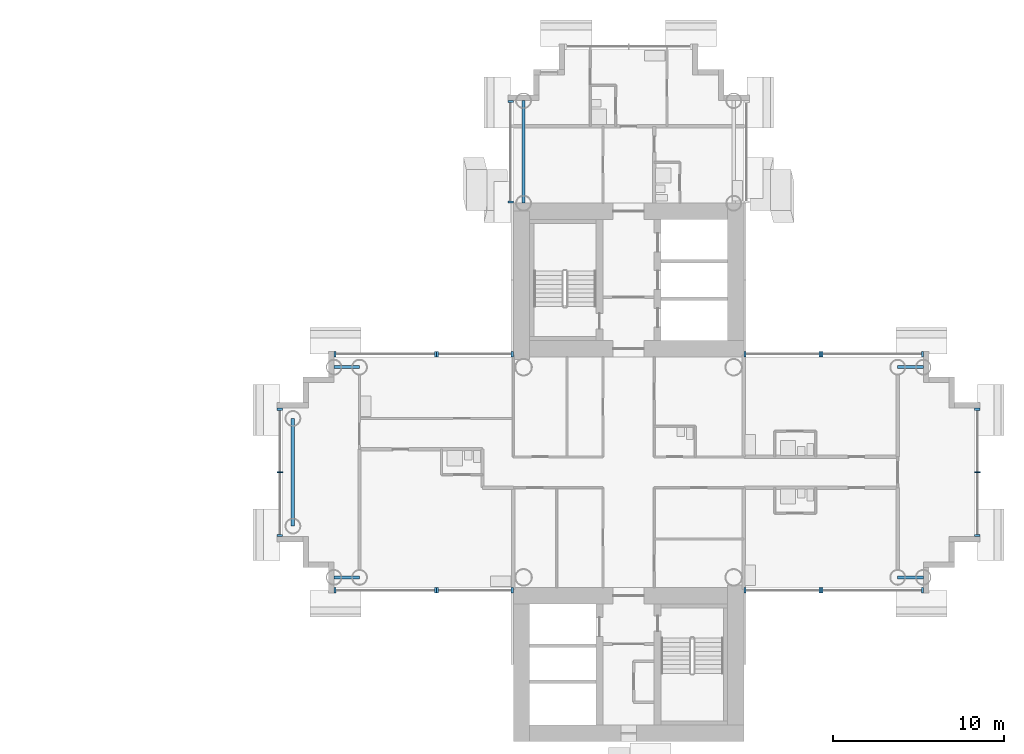
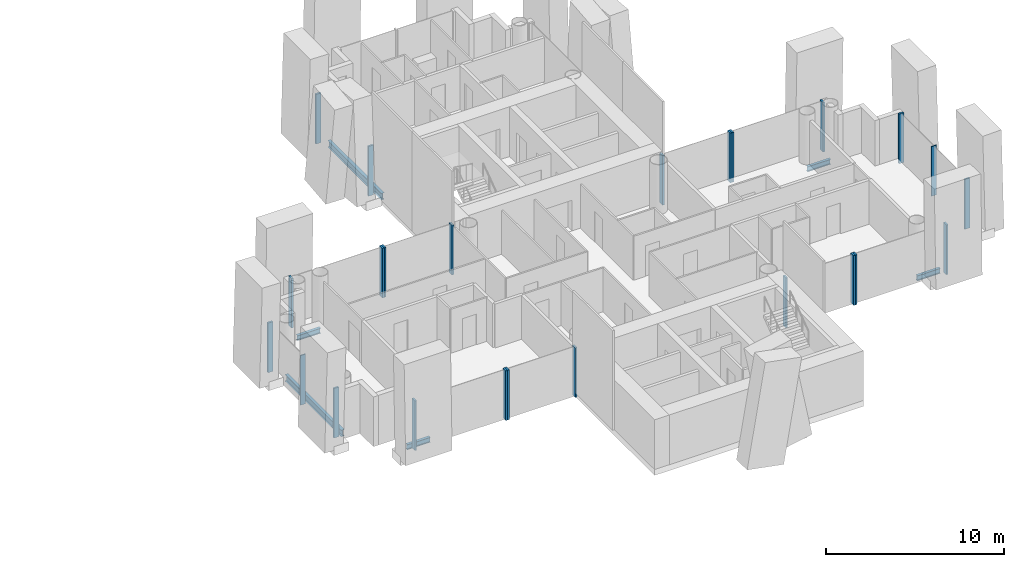
# One storey, part 5 of 21: 24 members, 6 beams, 11 elements without a shape of their own.
"""IFC4 building model written with IfcOpenShell, lengths in metres."""

from ifc_helpers import new_model, si_unit, direction, frame, origin, origin_2d, place, context, subcontext, project, spatial, rectangle, i_section, extrude, material, layer, layer_set, material_profile, profile_set, type_object, element, aggregate, save


model = new_model("IFC4")

# Units and contexts
model_context = context("Model", 3, precision=1e-05, world=origin(), true_north=direction((0.0, 1.0)))
body_context = subcontext(model_context, "Body", "Model", "MODEL_VIEW")
ifc_project = project(units=[si_unit("LENGTHUNIT", "METRE"), si_unit("AREAUNIT", "SQUARE_METRE"), si_unit("VOLUMEUNIT", "CUBIC_METRE"), si_unit("PLANEANGLEUNIT", "RADIAN"), si_unit("MASSUNIT", "GRAM", prefix="KILO")], contexts=[model_context])

# Site, building, storey
site_placement = place(None, origin())
site = spatial("IfcSite", under=ifc_project, at=site_placement, CompositionType="ELEMENT")
building_placement = place(site_placement, origin())
building = spatial("IfcBuilding", under=site, at=building_placement, Name="Ipe Terrace Towers", CompositionType="ELEMENT")
storey_placement = place(building_placement, frame((0.0, 0.0, 93.60009765625)))
storey = spatial("IfcBuildingStorey", under=building, at=storey_placement, Name="L25", CompositionType="ELEMENT", Elevation=93.60009765625)

# Beams
ifc_material_1 = material(Name="Steel S355", Category="steel")
ifc_material_profile_1 = material_profile(ifc_material_1, i_section(OverallWidth=0.175048828125, OverallDepth=0.35009765625, WebThickness=0.007080078125, FlangeThickness=0.010986328125, at=origin_2d()), Name="H-350x175x7x11")
ifc_profile_set_1 = profile_set([ifc_material_profile_1], Name="Steel S355")
beam_type_1 = type_object("IfcBeamType", Name="H04 EDGE BEAM H-350x175x7x11", PredefinedType="BEAM", material=ifc_profile_set_1)
for number, where, z_axis, x_axis, name in (
    (1, (20.25, 6.14990234375, -0.5751953125), (-1.0, 0.0, 0.0), (0.0, -1.0, 0.0), "Edge beam T2-EB-B03-B05"),
    (2, (20.25, -6.14990234375, -0.5751953125), (-1.0, 0.0, 0.0), (0.0, -1.0, 0.0), "Edge beam T2-EB-B04-B06"),
    (3, (51.75, -6.14990234375, -0.5751953125), (1.0, 0.0, 0.0), (0.0, 1.0, 0.0), "Edge beam T2-EB-D03-D05"),
    (4, (51.75, 6.14990234375, -0.5751953125), (1.0, 0.0, 0.0), (0.0, 1.0, 0.0), "Edge beam T2-EB-D04-D06"),
):
    element("IfcBeam", number, at=place(storey_placement, frame(where, z_axis=z_axis, x_axis=x_axis)), inside=storey, type_object=beam_type_1, Name=name, PredefinedType="BEAM", context=body_context, shape_type="SweptSolid", body=[
        extrude(i_section(OverallWidth=0.175048828125, OverallDepth=0.35009765625, WebThickness=0.007080078125, FlangeThickness=0.010986328125, at=origin_2d()), origin(), (0.0, 0.0, 1.0), 1.5),
    ])
ifc_material_2 = material(Name="Steel S355", Category="steel")
ifc_material_profile_2 = material_profile(ifc_material_2, i_section(OverallWidth=0.199951171875, OverallDepth=0.449951171875, WebThickness=0.009033203125, FlangeThickness=0.013916015625, at=origin_2d()), Name="H-450x200x9x14")
ifc_profile_set_2 = profile_set([ifc_material_profile_2], Name="Steel S355")
beam_type_2 = type_object("IfcBeamType", Name="H08 EDGE BEAM H-450x200x9x14", PredefinedType="BEAM", material=ifc_profile_set_2)
beam_1_placement = place(storey_placement, frame((29.85009765625, 15.75, -0.625), z_axis=(0.0, 1.0, 0.0), x_axis=(-1.0, 0.0, 0.0)))
element("IfcBeam", 5, at=beam_1_placement, inside=storey, type_object=beam_type_2, Name="Edge beam T2-EB-A02-A04", PredefinedType="BEAM", context=body_context, shape_type="SweptSolid", body=[
    extrude(i_section(OverallWidth=0.199951171875, OverallDepth=0.449951171875, WebThickness=0.009033203125, FlangeThickness=0.013916015625, at=origin_2d()), origin(), (0.0, 0.0, 1.0), 6.0),
])
beam_2_placement = place(storey_placement, frame((16.35009765625, 3.14990234375, -0.625), z_axis=(0.0, -1.0, 0.0), x_axis=(1.0, 0.0, 0.0)))
element("IfcBeam", 6, at=beam_2_placement, inside=storey, type_object=beam_type_2, Name="Edge beam T2-EB-B07-B08", PredefinedType="BEAM", context=body_context, shape_type="SweptSolid", body=[
    extrude(i_section(OverallWidth=0.199951171875, OverallDepth=0.449951171875, WebThickness=0.009033203125, FlangeThickness=0.013916015625, at=origin_2d()), origin(), (0.0, 0.0, 1.0), 6.2998046875),
])

# Curtain wall, members
ifc_material_3 = material(Name="Aluminium alloy 6063-T6", Category="aluminium")
ifc_layer = layer(ifc_material_3, 0.320068359375)
ifc_layer_set = layer_set([ifc_layer], Name="TOWER UNITISED CURTAIN WALL")
curtain_wall_type = type_object("IfcCurtainWallType", Name="TOWER UNITISED CURTAIN WALL", PredefinedType="NOTDEFINED", material=ifc_layer_set)
curtain_wall_1_placement = place(storey_placement, origin())
curtain_wall_1 = element("IfcCurtainWall", 7, at=curtain_wall_1_placement, inside=storey, type_object=curtain_wall_type, Name="T2-CW-L25-02a curtain wall", PredefinedType="NOTDEFINED")
ifc_material_4 = material(Name="Aluminium alloy 6063-T6", Category="aluminium")
ifc_material_profile_3 = material_profile(ifc_material_4, rectangle(XDim=0.320068359375, YDim=0.1201171875, at=origin_2d()), Name="TOWER UNITISED CORNER MULLION 320 x 120")
ifc_profile_set_3 = profile_set([ifc_material_profile_3], Name="Aluminium alloy 6063-T6")
member_type_1 = type_object("IfcMemberType", Name="TOWER UNITISED CORNER MULLION 320 x 120", PredefinedType="MULLION", material=ifc_profile_set_3)
member_1_placement = place(storey_placement, frame((42.81005859375, -6.909912109375, -0.300048828125), z_axis=(0.0, 0.0, 1.0), x_axis=(0.0, -1.0, 0.0)))
member_1 = element("IfcMember", 8, at=member_1_placement, type_object=member_type_1, Name="T2-CW-L25-02a mullion 1", PredefinedType="MULLION", context=body_context, shape_type="SweptSolid", body=[
    extrude(rectangle(XDim=0.320068359375, YDim=0.1201171875, at=origin_2d()), origin(), (0.0, 0.0, 1.0), 3.39990234375),
])
member_2_placement = place(storey_placement, frame((47.18994140625, -6.909912109375, -0.300048828125), z_axis=(0.0, 0.0, 1.0), x_axis=(0.0, -1.0, 0.0)))
member_2 = element("IfcMember", 9, at=member_2_placement, type_object=member_type_1, Name="T2-CW-L25-02a mullion 2", PredefinedType="MULLION", context=body_context, shape_type="SweptSolid", body=[
    extrude(rectangle(XDim=0.320068359375, YDim=0.1201171875, at=origin_2d()), origin(), (0.0, 0.0, 1.0), 3.39990234375),
])
aggregate(curtain_wall_1, [member_1, member_2])

curtain_wall_2_placement = place(storey_placement, origin())
curtain_wall_2 = element("IfcCurtainWall", 10, at=curtain_wall_2_placement, inside=storey, type_object=curtain_wall_type, Name="T2-CW-L25-03a curtain wall", PredefinedType="NOTDEFINED")
member_3_placement = place(storey_placement, frame((47.31005859375, -6.909912109375, -0.300048828125), z_axis=(0.0, 0.0, 1.0), x_axis=(0.0, -1.0, 0.0)))
member_3 = element("IfcMember", 11, at=member_3_placement, type_object=member_type_1, Name="T2-CW-L25-03a mullion 1", PredefinedType="MULLION", context=body_context, shape_type="SweptSolid", body=[
    extrude(rectangle(XDim=0.320068359375, YDim=0.1201171875, at=origin_2d()), origin(), (0.0, 0.0, 1.0), 3.39990234375),
])
member_4_placement = place(storey_placement, frame((53.18994140625, -6.909912109375, -0.300048828125), z_axis=(0.0, 0.0, 1.0), x_axis=(0.0, -1.0, 0.0)))
member_4 = element("IfcMember", 12, at=member_4_placement, type_object=member_type_1, Name="T2-CW-L25-03a mullion 2", PredefinedType="MULLION", context=body_context, shape_type="SweptSolid", body=[
    extrude(rectangle(XDim=0.320068359375, YDim=0.1201171875, at=origin_2d()), origin(), (0.0, 0.0, 1.0), 3.39990234375),
])
aggregate(curtain_wall_2, [member_3, member_4])

curtain_wall_3_placement = place(storey_placement, origin())
curtain_wall_3 = element("IfcCurtainWall", 13, at=curtain_wall_3_placement, inside=storey, type_object=curtain_wall_type, Name="T2-CW-L25-08a curtain wall", PredefinedType="NOTDEFINED")
member_5_placement = place(storey_placement, frame((56.409912109375, -3.68994140625, -0.300048828125), z_axis=(0.0, 0.0, 1.0), x_axis=(1.0, 0.0, 0.0)))
member_5 = element("IfcMember", 14, at=member_5_placement, type_object=member_type_1, Name="T2-CW-L25-08a mullion 1", PredefinedType="MULLION", context=body_context, shape_type="SweptSolid", body=[
    extrude(rectangle(XDim=0.320068359375, YDim=0.1201171875, at=origin_2d()), origin(), (0.0, 0.0, 1.0), 3.39990234375),
])
member_6_placement = place(storey_placement, frame((56.409912109375, 3.68994140625, -0.300048828125), z_axis=(0.0, 0.0, 1.0), x_axis=(1.0, 0.0, 0.0)))
member_6 = element("IfcMember", 15, at=member_6_placement, type_object=member_type_1, Name="T2-CW-L25-08a mullion 3", PredefinedType="MULLION", context=body_context, shape_type="SweptSolid", body=[
    extrude(rectangle(XDim=0.320068359375, YDim=0.1201171875, at=origin_2d()), origin(), (0.0, 0.0, 1.0), 3.39990234375),
])

curtain_wall_4_placement = place(storey_placement, origin())
curtain_wall_4 = element("IfcCurtainWall", 16, at=curtain_wall_4_placement, inside=storey, type_object=curtain_wall_type, Name="T2-CW-L25-13a curtain wall", PredefinedType="NOTDEFINED")
member_7_placement = place(storey_placement, frame((53.18994140625, 6.909912109375, -0.300048828125), z_axis=(0.0, 0.0, 1.0), x_axis=(0.0, 1.0, 0.0)))
member_7 = element("IfcMember", 17, at=member_7_placement, type_object=member_type_1, Name="T2-CW-L25-13a mullion 1", PredefinedType="MULLION", context=body_context, shape_type="SweptSolid", body=[
    extrude(rectangle(XDim=0.320068359375, YDim=0.1201171875, at=origin_2d()), origin(), (0.0, 0.0, 1.0), 3.39990234375),
])
member_8_placement = place(storey_placement, frame((47.31005859375, 6.909912109375, -0.300048828125), z_axis=(0.0, 0.0, 1.0), x_axis=(0.0, 1.0, 0.0)))
member_8 = element("IfcMember", 18, at=member_8_placement, type_object=member_type_1, Name="T2-CW-L25-13a mullion 2", PredefinedType="MULLION", context=body_context, shape_type="SweptSolid", body=[
    extrude(rectangle(XDim=0.320068359375, YDim=0.1201171875, at=origin_2d()), origin(), (0.0, 0.0, 1.0), 3.39990234375),
])
aggregate(curtain_wall_4, [member_7, member_8])

curtain_wall_5_placement = place(storey_placement, origin())
curtain_wall_5 = element("IfcCurtainWall", 19, at=curtain_wall_5_placement, inside=storey, type_object=curtain_wall_type, Name="T2-CW-L25-14a curtain wall", PredefinedType="NOTDEFINED")
member_9_placement = place(storey_placement, frame((47.18994140625, 6.909912109375, -0.300048828125), z_axis=(0.0, 0.0, 1.0), x_axis=(0.0, 1.0, 0.0)))
member_9 = element("IfcMember", 20, at=member_9_placement, type_object=member_type_1, Name="T2-CW-L25-14a mullion 1", PredefinedType="MULLION", context=body_context, shape_type="SweptSolid", body=[
    extrude(rectangle(XDim=0.320068359375, YDim=0.1201171875, at=origin_2d()), origin(), (0.0, 0.0, 1.0), 3.39990234375),
])
member_10_placement = place(storey_placement, frame((42.81005859375, 6.909912109375, -0.300048828125), z_axis=(0.0, 0.0, 1.0), x_axis=(0.0, 1.0, 0.0)))
member_10 = element("IfcMember", 21, at=member_10_placement, type_object=member_type_1, Name="T2-CW-L25-14a mullion 2", PredefinedType="MULLION", context=body_context, shape_type="SweptSolid", body=[
    extrude(rectangle(XDim=0.320068359375, YDim=0.1201171875, at=origin_2d()), origin(), (0.0, 0.0, 1.0), 3.39990234375),
])
aggregate(curtain_wall_5, [member_9, member_10])

curtain_wall_6_placement = place(storey_placement, origin())
curtain_wall_6 = element("IfcCurtainWall", 22, at=curtain_wall_6_placement, inside=storey, type_object=curtain_wall_type, Name="T2-CW-L25-26a curtain wall", PredefinedType="NOTDEFINED")
member_11_placement = place(storey_placement, frame((29.090087890625, 21.68994140625, -0.300048828125), z_axis=(0.0, 0.0, 1.0), x_axis=(-1.0, 0.0, 0.0)))
member_11 = element("IfcMember", 23, at=member_11_placement, type_object=member_type_1, Name="T2-CW-L25-26a mullion 1", PredefinedType="MULLION", context=body_context, shape_type="SweptSolid", body=[
    extrude(rectangle(XDim=0.320068359375, YDim=0.1201171875, at=origin_2d()), origin(), (0.0, 0.0, 1.0), 3.39990234375),
])
member_12_placement = place(storey_placement, frame((29.090087890625, 15.81103515625, -0.300048828125), z_axis=(0.0, 0.0, 1.0), x_axis=(-1.0, 0.0, 0.0)))
member_12 = element("IfcMember", 24, at=member_12_placement, type_object=member_type_1, Name="T2-CW-L25-26a mullion 2", PredefinedType="MULLION", context=body_context, shape_type="SweptSolid", body=[
    extrude(rectangle(XDim=0.320068359375, YDim=0.1201171875, at=origin_2d()), origin(), (0.0, 0.0, 1.0), 3.39990234375),
])
aggregate(curtain_wall_6, [member_11, member_12])

curtain_wall_7_placement = place(storey_placement, origin())
curtain_wall_7 = element("IfcCurtainWall", 25, at=curtain_wall_7_placement, inside=storey, type_object=curtain_wall_type, Name="T2-CW-L25-28a curtain wall", PredefinedType="NOTDEFINED")
member_13_placement = place(storey_placement, frame((29.18994140625, 6.909912109375, -0.300048828125), z_axis=(0.0, 0.0, 1.0), x_axis=(0.0, 1.0, 0.0)))
member_13 = element("IfcMember", 26, at=member_13_placement, type_object=member_type_1, Name="T2-CW-L25-28a mullion 1", PredefinedType="MULLION", context=body_context, shape_type="SweptSolid", body=[
    extrude(rectangle(XDim=0.320068359375, YDim=0.1201171875, at=origin_2d()), origin(), (0.0, 0.0, 1.0), 3.39990234375),
])
member_14_placement = place(storey_placement, frame((24.81005859375, 6.909912109375, -0.300048828125), z_axis=(0.0, 0.0, 1.0), x_axis=(0.0, 1.0, 0.0)))
member_14 = element("IfcMember", 27, at=member_14_placement, type_object=member_type_1, Name="T2-CW-L25-28a mullion 2", PredefinedType="MULLION", context=body_context, shape_type="SweptSolid", body=[
    extrude(rectangle(XDim=0.320068359375, YDim=0.1201171875, at=origin_2d()), origin(), (0.0, 0.0, 1.0), 3.39990234375),
])
aggregate(curtain_wall_7, [member_13, member_14])

curtain_wall_8_placement = place(storey_placement, origin())
curtain_wall_8 = element("IfcCurtainWall", 28, at=curtain_wall_8_placement, inside=storey, type_object=curtain_wall_type, Name="T2-CW-L25-29a curtain wall", PredefinedType="NOTDEFINED")
member_15_placement = place(storey_placement, frame((24.68994140625, 6.909912109375, -0.300048828125), z_axis=(0.0, 0.0, 1.0), x_axis=(0.0, 1.0, 0.0)))
member_15 = element("IfcMember", 29, at=member_15_placement, type_object=member_type_1, Name="T2-CW-L25-29a mullion 1", PredefinedType="MULLION", context=body_context, shape_type="SweptSolid", body=[
    extrude(rectangle(XDim=0.320068359375, YDim=0.1201171875, at=origin_2d()), origin(), (0.0, 0.0, 1.0), 3.39990234375),
])
member_16_placement = place(storey_placement, frame((18.81005859375, 6.909912109375, -0.300048828125), z_axis=(0.0, 0.0, 1.0), x_axis=(0.0, 1.0, 0.0)))
member_16 = element("IfcMember", 30, at=member_16_placement, type_object=member_type_1, Name="T2-CW-L25-29a mullion 2", PredefinedType="MULLION", context=body_context, shape_type="SweptSolid", body=[
    extrude(rectangle(XDim=0.320068359375, YDim=0.1201171875, at=origin_2d()), origin(), (0.0, 0.0, 1.0), 3.39990234375),
])
aggregate(curtain_wall_8, [member_15, member_16])

curtain_wall_9_placement = place(storey_placement, origin())
curtain_wall_9 = element("IfcCurtainWall", 31, at=curtain_wall_9_placement, inside=storey, type_object=curtain_wall_type, Name="T2-CW-L25-34a curtain wall", PredefinedType="NOTDEFINED")
member_17_placement = place(storey_placement, frame((15.590087890625, 3.68994140625, -0.300048828125), z_axis=(0.0, 0.0, 1.0), x_axis=(-1.0, 0.0, 0.0)))
member_17 = element("IfcMember", 32, at=member_17_placement, type_object=member_type_1, Name="T2-CW-L25-34a mullion 1", PredefinedType="MULLION", context=body_context, shape_type="SweptSolid", body=[
    extrude(rectangle(XDim=0.320068359375, YDim=0.1201171875, at=origin_2d()), origin(), (0.0, 0.0, 1.0), 3.39990234375),
])
member_18_placement = place(storey_placement, frame((15.590087890625, -3.68994140625, -0.300048828125), z_axis=(0.0, 0.0, 1.0), x_axis=(-1.0, 0.0, 0.0)))
member_18 = element("IfcMember", 33, at=member_18_placement, type_object=member_type_1, Name="T2-CW-L25-34a mullion 3", PredefinedType="MULLION", context=body_context, shape_type="SweptSolid", body=[
    extrude(rectangle(XDim=0.320068359375, YDim=0.1201171875, at=origin_2d()), origin(), (0.0, 0.0, 1.0), 3.39990234375),
])

curtain_wall_10_placement = place(storey_placement, origin())
curtain_wall_10 = element("IfcCurtainWall", 34, at=curtain_wall_10_placement, inside=storey, type_object=curtain_wall_type, Name="T2-CW-L25-39a curtain wall", PredefinedType="NOTDEFINED")
member_19_placement = place(storey_placement, frame((18.81005859375, -6.909912109375, -0.300048828125), z_axis=(0.0, 0.0, 1.0), x_axis=(0.0, -1.0, 0.0)))
member_19 = element("IfcMember", 35, at=member_19_placement, type_object=member_type_1, Name="T2-CW-L25-39a mullion 1", PredefinedType="MULLION", context=body_context, shape_type="SweptSolid", body=[
    extrude(rectangle(XDim=0.320068359375, YDim=0.1201171875, at=origin_2d()), origin(), (0.0, 0.0, 1.0), 3.39990234375),
])
member_20_placement = place(storey_placement, frame((24.68994140625, -6.909912109375, -0.300048828125), z_axis=(0.0, 0.0, 1.0), x_axis=(0.0, -1.0, 0.0)))
member_20 = element("IfcMember", 36, at=member_20_placement, type_object=member_type_1, Name="T2-CW-L25-39a mullion 2", PredefinedType="MULLION", context=body_context, shape_type="SweptSolid", body=[
    extrude(rectangle(XDim=0.320068359375, YDim=0.1201171875, at=origin_2d()), origin(), (0.0, 0.0, 1.0), 3.39990234375),
])
aggregate(curtain_wall_10, [member_19, member_20])

curtain_wall_11_placement = place(storey_placement, origin())
curtain_wall_11 = element("IfcCurtainWall", 37, at=curtain_wall_11_placement, inside=storey, type_object=curtain_wall_type, Name="T2-CW-L25-40a curtain wall", PredefinedType="NOTDEFINED")
member_21_placement = place(storey_placement, frame((24.81005859375, -6.909912109375, -0.300048828125), z_axis=(0.0, 0.0, 1.0), x_axis=(0.0, -1.0, 0.0)))
member_21 = element("IfcMember", 38, at=member_21_placement, type_object=member_type_1, Name="T2-CW-L25-40a mullion 1", PredefinedType="MULLION", context=body_context, shape_type="SweptSolid", body=[
    extrude(rectangle(XDim=0.320068359375, YDim=0.1201171875, at=origin_2d()), origin(), (0.0, 0.0, 1.0), 3.39990234375),
])
member_22_placement = place(storey_placement, frame((29.18994140625, -6.909912109375, -0.300048828125), z_axis=(0.0, 0.0, 1.0), x_axis=(0.0, -1.0, 0.0)))
member_22 = element("IfcMember", 39, at=member_22_placement, type_object=member_type_1, Name="T2-CW-L25-40a mullion 2", PredefinedType="MULLION", context=body_context, shape_type="SweptSolid", body=[
    extrude(rectangle(XDim=0.320068359375, YDim=0.1201171875, at=origin_2d()), origin(), (0.0, 0.0, 1.0), 3.39990234375),
])
aggregate(curtain_wall_11, [member_21, member_22])

# Member
ifc_material_5 = material(Name="Aluminium alloy 6063-T6", Category="aluminium")
ifc_material_profile_4 = material_profile(ifc_material_5, rectangle(XDim=0.320068359375, YDim=0.06494140625, at=origin_2d()), Name="TOWER UNITISED MULLION 320 x 65")
ifc_profile_set_4 = profile_set([ifc_material_profile_4], Name="Aluminium alloy 6063-T6")
member_type_2 = type_object("IfcMemberType", Name="TOWER UNITISED MULLION 320 x 65", PredefinedType="MULLION", material=ifc_profile_set_4)
member_23_placement = place(storey_placement, frame((56.409912109375, 0.0, -0.300048828125), z_axis=(0.0, 0.0, 1.0), x_axis=(1.0, 0.0, 0.0)))
member_23 = element("IfcMember", 40, at=member_23_placement, type_object=member_type_2, Name="T2-CW-L25-08a mullion 2", PredefinedType="MULLION", context=body_context, shape_type="SweptSolid", body=[
    extrude(rectangle(XDim=0.320068359375, YDim=0.06494140625, at=origin_2d()), origin(), (0.0, 0.0, 1.0), 3.39990234375),
])

aggregate(curtain_wall_3, [member_5, member_23, member_6])

member_24_placement = place(storey_placement, frame((15.590087890625, 0.0, -0.300048828125), z_axis=(0.0, 0.0, 1.0), x_axis=(-1.0, 0.0, 0.0)))
member_24 = element("IfcMember", 41, at=member_24_placement, type_object=member_type_2, Name="T2-CW-L25-34a mullion 2", PredefinedType="MULLION", context=body_context, shape_type="SweptSolid", body=[
    extrude(rectangle(XDim=0.320068359375, YDim=0.06494140625, at=origin_2d()), origin(), (0.0, 0.0, 1.0), 3.39990234375),
])

aggregate(curtain_wall_9, [member_17, member_24, member_18])

save(model, "model.ifc")
